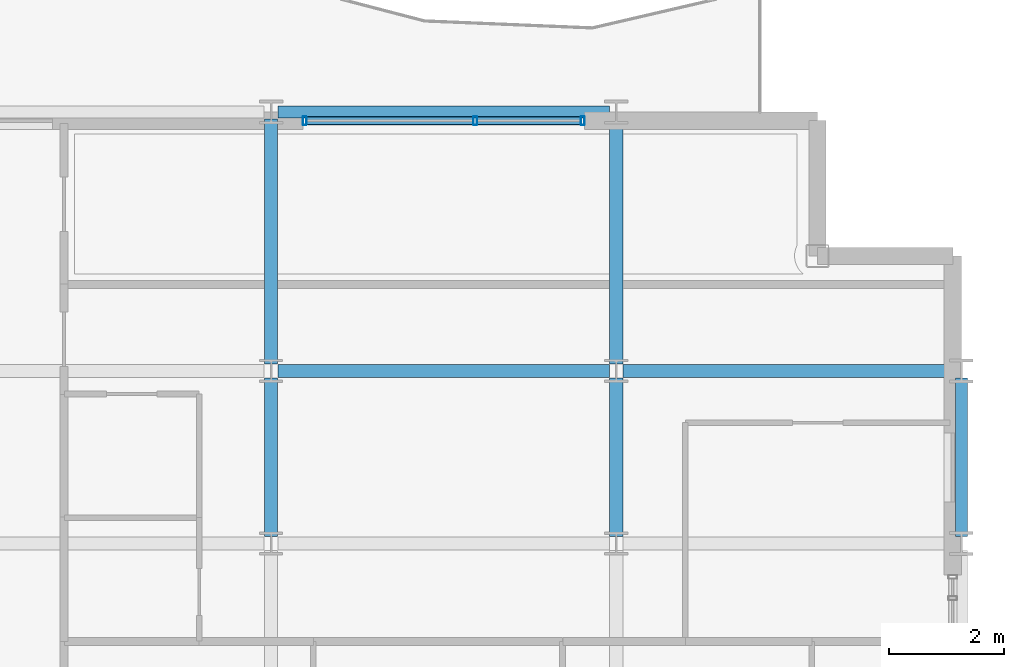
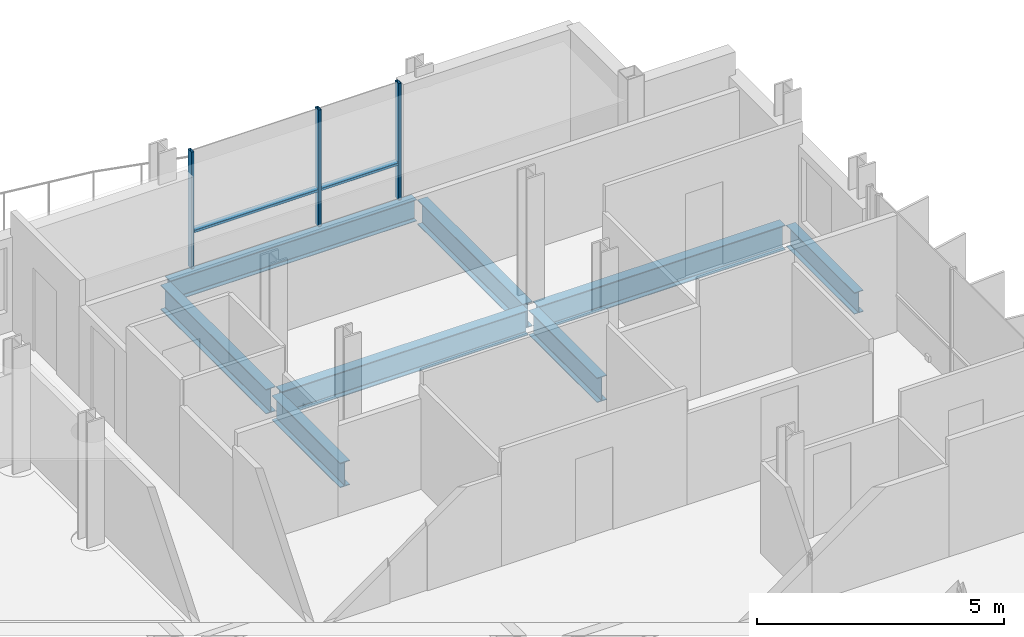
# One storey, part 22 of 38: 8 beams, 5 members, 1 element without a shape of its own.
"""IFC4 building model written with IfcOpenShell, lengths in metres."""

import ifcopenshell
import ifcopenshell.guid

model = None  # the IFC model being written
_history = None  # IfcOwnerHistory: only IFC2X3 demands one
_inside = {}  # id of a spatial element -> (the spatial element, [elements in it])
_under = {}  # id of a project, library or spatial element -> (it, [spatial elements below it])
_declared = {}  # id of a project -> (the project, [libraries it declares])
_typed = {}  # id of a type object -> (the type object, [elements of that type])
_made_of = {}  # id of a material, layer set ... -> (it, [elements and type objects made of it])


def new_model(schema):
    """Start an empty IFC model of exactly this schema.

    Asked for "IFC4X3", IfcOpenShell would pick the latest addendum, in which some entities
    have other attributes; the version numbers below select the first issue.
    IFC2X3 requires an IfcOwnerHistory on every rooted entity: one is made here for all.
    """
    global model, _history
    if schema == "IFC4X3":
        model = ifcopenshell.file(schema_version=(4, 3, 0, 0))
    else:
        model = ifcopenshell.file(schema=schema)
    _inside.clear()
    _under.clear()
    _declared.clear()
    _typed.clear()
    _made_of.clear()
    _history = None
    if model.schema == "IFC2X3":
        org = make("IfcOrganization", Name="unknown")
        user = make(
            "IfcPersonAndOrganization",
            ThePerson=make("IfcPerson", FamilyName="unknown"),
            TheOrganization=org,
        )
        app = make(
            "IfcApplication",
            ApplicationDeveloper=org,
            Version="unknown",
            ApplicationFullName="unknown",
            ApplicationIdentifier="unknown",
        )
        _history = make(
            "IfcOwnerHistory",
            OwningUser=user,
            OwningApplication=app,
            ChangeAction="ADDED",
            CreationDate=0,
        )
    return model


def make(cls, **values):
    """One entity of the class cls with the attributes given. An attribute that is None is left unset."""
    return model.create_entity(
        cls, **{name: value for name, value in values.items() if value is not None}
    )


def rooted(cls, **values):
    """An entity with a GlobalId (a new one), such as an element, a storey or a relation."""
    return make(cls, GlobalId=ifcopenshell.guid.new(), OwnerHistory=_history, **values)


def si_unit(unit_type, name, prefix=None):
    """IfcSIUnit, for example si_unit("LENGTHUNIT", "METRE", prefix="MILLI")."""
    return make("IfcSIUnit", UnitType=unit_type, Prefix=prefix, Name=name)


def assignment(units):
    """IfcUnitAssignment: the units of a project."""
    return None if units is None else make("IfcUnitAssignment", Units=units)


def point(xyz):
    """IfcCartesianPoint."""
    return None if xyz is None else make("IfcCartesianPoint", Coordinates=xyz)


def direction(xyz):
    """IfcDirection."""
    return None if xyz is None else make("IfcDirection", DirectionRatios=xyz)


def frame(location, z_axis=None, x_axis=None):
    """IfcAxis2Placement3D, a coordinate frame: its origin and axes. An axis left out is left unset."""
    return make(
        "IfcAxis2Placement3D",
        Location=point(location),
        Axis=direction(z_axis),
        RefDirection=direction(x_axis),
    )


def frame_2d(location, x_axis=None):
    """IfcAxis2Placement2D, a coordinate frame in the plane: its origin and x axis."""
    return make(
        "IfcAxis2Placement2D", Location=point(location), RefDirection=direction(x_axis)
    )


def origin():
    """The frame at (0, 0, 0) with its axes left unset."""
    return frame((0.0, 0.0, 0.0))


def origin_2d():
    """The frame at (0, 0) in the plane with its x axis left unset."""
    return frame_2d((0.0, 0.0))


def place(relative_to, where):
    """IfcLocalPlacement: puts the frame where relative to a parent placement (None: the world)."""
    return make(
        "IfcLocalPlacement", PlacementRelTo=relative_to, RelativePlacement=where
    )


def context(
    kind, dimensions, precision=None, world=None, true_north=None, identifier=None
):
    """IfcGeometricRepresentationContext, for example the 3D "Model" context."""
    return make(
        "IfcGeometricRepresentationContext",
        ContextIdentifier=identifier,
        ContextType=kind,
        CoordinateSpaceDimension=dimensions,
        Precision=precision,
        WorldCoordinateSystem=world,
        TrueNorth=true_north,
    )


def subcontext(parent, identifier, kind, view, scale=None):
    """IfcGeometricRepresentationSubContext, for example "Body" below "Model"."""
    return make(
        "IfcGeometricRepresentationSubContext",
        ContextIdentifier=identifier,
        ContextType=kind,
        ParentContext=parent,
        TargetScale=scale,
        TargetView=view,
    )


def project(units=None, contexts=None):
    """IfcProject with its units and contexts."""
    return rooted(
        "IfcProject",
        Name="project",
        RepresentationContexts=contexts,
        UnitsInContext=assignment(units),
    )


def spatial(cls, under=None, at=None, **own):
    """A site, building, storey or space (cls), placed at a placement, below another one or the project."""
    s = rooted(cls, ObjectPlacement=at, **own)
    if under is not None:
        _under.setdefault(under.id(), (under, []))[1].append(s)
    return s


def profile(cls, at=None, kind="AREA", **sizes):
    """A parametric profile (cls). Its sizes go by their IFC names, for example OverallWidth=200.0."""
    return make(cls, ProfileType=kind, Position=at, **sizes)


def hollow_rectangle(**sizes):
    """IfcRectangleHollowProfileDef."""
    return profile("IfcRectangleHollowProfileDef", **sizes)


def i_section(**sizes):
    """IfcIShapeProfileDef."""
    return profile("IfcIShapeProfileDef", **sizes)


def extrude(swept, where, along, depth):
    """IfcExtrudedAreaSolid: the profile swept, set in the frame where, extruded along a direction by depth."""
    return make(
        "IfcExtrudedAreaSolid",
        SweptArea=swept,
        Position=where,
        ExtrudedDirection=direction(along),
        Depth=depth,
    )


def shape(context_of_items, identifier, shape_type, items):
    """IfcShapeRepresentation: the items that make up one representation, for example the "Body"."""
    return make(
        "IfcShapeRepresentation",
        ContextOfItems=context_of_items,
        RepresentationIdentifier=identifier,
        RepresentationType=shape_type,
        Items=items,
    )


def material(Name=None, Category=None):
    """IfcMaterial."""
    return make("IfcMaterial", Name=Name, Category=Category)


def layer(
    of_material, thickness, ventilated=None, Name=None, Category=None, Priority=None
):
    """IfcMaterialLayer: one layer of a wall or slab, of a material (None: an air gap)."""
    return make(
        "IfcMaterialLayer",
        Material=of_material,
        LayerThickness=thickness,
        IsVentilated=ventilated,
        Name=Name,
        Category=Category,
        Priority=Priority,
    )


def layer_set(layers, Name=None):
    """IfcMaterialLayerSet."""
    return make("IfcMaterialLayerSet", MaterialLayers=layers, LayerSetName=Name)


def material_profile(
    of_material, cross_section, Name=None, Category=None, Priority=None
):
    """IfcMaterialProfile: a cross section and its material."""
    return make(
        "IfcMaterialProfile",
        Name=Name,
        Material=of_material,
        Profile=cross_section,
        Priority=Priority,
        Category=Category,
    )


def profile_set(profiles, Name=None, composite=None):
    """IfcMaterialProfileSet."""
    return make(
        "IfcMaterialProfileSet",
        Name=Name,
        MaterialProfiles=profiles,
        CompositeProfile=composite,
    )


def made_of(thing, what):
    """Note that an element or type object is made of a material, layer set ...; save() writes the relation."""
    if what is not None:
        _made_of.setdefault(what.id(), (what, []))[1].append(thing)
    return thing


def type_object(cls, material=None, **own):
    """A type object (cls), such as IfcWallType, which elements share."""
    return made_of(rooted(cls, **own), material)


def element(
    cls,
    number,
    at=None,
    inside=None,
    cuts=None,
    type_object=None,
    material=None,
    context=None,
    identifier="Body",
    shape_type=None,
    held_by="IfcProductDefinitionShape",
    body=None,
    shapes=None,
    **own,
):
    """One element of the class cls, such as IfcWall. Its Tag is "e" and its number.

    at: its placement. inside: the storey or other place that contains it. cuts: it is an
    opening in that element (IfcRelVoidsElement). A single representation is given by context,
    identifier, shape_type and body (its items); several are given by shapes. held_by: the class
    of the entity that holds the representations. save() writes the other relations.
    """
    e = rooted(cls, Tag="e%d" % number, ObjectPlacement=at, **own)
    if body is not None:
        shapes = [shape(context, identifier, shape_type, body)]
    if shapes is not None:
        e.Representation = make(held_by, Representations=shapes)
    if inside is not None:
        _inside.setdefault(inside.id(), (inside, []))[1].append(e)
    if cuts is not None:
        rooted(
            "IfcRelVoidsElement", RelatingBuildingElement=cuts, RelatedOpeningElement=e
        )
    if type_object is not None:
        _typed.setdefault(type_object.id(), (type_object, []))[1].append(e)
    return made_of(e, material)


def aggregate(whole, parts):
    """IfcRelAggregates: a whole, such as a stair, and the parts it consists of."""
    return rooted("IfcRelAggregates", RelatingObject=whole, RelatedObjects=parts)


def save(model, path):
    """Write the relations noted so far, then the file.

    IfcRelAggregates (storeys below a building ...), IfcRelContainedInSpatialStructure (elements
    in a storey), IfcRelDefinesByType, IfcRelAssociatesMaterial and IfcRelDeclares: one each for
    every whole, place, type object, material and project.
    """
    for whole, parts in _under.values():
        aggregate(whole, parts)
    for where, things in _inside.values():
        rooted(
            "IfcRelContainedInSpatialStructure",
            RelatedElements=things,
            RelatingStructure=where,
        )
    for kind, things in _typed.values():
        rooted("IfcRelDefinesByType", RelatedObjects=things, RelatingType=kind)
    for what, things in _made_of.values():
        rooted("IfcRelAssociatesMaterial", RelatedObjects=things, RelatingMaterial=what)
    for by, libraries in _declared.values():
        rooted("IfcRelDeclares", RelatingContext=by, RelatedDefinitions=libraries)
    model.write(path)


model = new_model("IFC4")

# Units and contexts
model_context = context("Model", 3, precision=1e-05, world=origin(), true_north=direction((0.0, 1.0)))
body_context = subcontext(model_context, "Body", "Model", "MODEL_VIEW")
ifc_project = project(units=[si_unit("LENGTHUNIT", "METRE"), si_unit("AREAUNIT", "SQUARE_METRE"), si_unit("VOLUMEUNIT", "CUBIC_METRE"), si_unit("PLANEANGLEUNIT", "RADIAN"), si_unit("MASSUNIT", "GRAM", prefix="KILO")], contexts=[model_context])

# Site, building, storey
site_placement = place(None, origin())
site = spatial("IfcSite", under=ifc_project, at=site_placement, CompositionType="ELEMENT")
building_placement = place(site_placement, origin())
building = spatial("IfcBuilding", under=site, at=building_placement, Name="Brevholm Reach", CompositionType="ELEMENT")
storey_placement = place(building_placement, frame((0.0, 0.0, 166.60009765625)))
storey = spatial("IfcBuildingStorey", under=building, at=storey_placement, Name="L50", CompositionType="ELEMENT", Elevation=166.60009765625)

# Beams
ifc_material_1 = material(Name="Structural Steel S355J2", Category="steel")
ifc_material_profile_1 = material_profile(ifc_material_1, i_section(OverallWidth=0.209228515625, OverallDepth=0.533203125, WebThickness=0.010009765625, FlangeThickness=0.015625, FilletRadius=0.0126953125, at=origin_2d()), Name="UKB 533x210x92")
ifc_profile_set_1 = profile_set([ifc_material_profile_1], Name="Structural Steel S355J2")
beam_type_1 = type_object("IfcBeamType", Name="BM-SP533", PredefinedType="SPANDREL", material=ifc_profile_set_1)
beam_1_placement = place(storey_placement, frame((48.1201171875, 31.0, -0.486572265625), z_axis=(1.0, 0.0, 0.0), x_axis=(0.0, 1.0, 0.0)))
element("IfcBeam", 1, at=beam_1_placement, inside=storey, type_object=beam_type_1, Name="L50 SP-02 Framing Beam", PredefinedType="SPANDREL", context=body_context, shape_type="SweptSolid", body=[
    extrude(i_section(OverallWidth=0.209228515625, OverallDepth=0.533203125, WebThickness=0.010009765625, FlangeThickness=0.015625, FilletRadius=0.0126953125, at=origin_2d()), origin(), (0.0, 0.0, 1.0), 5.759765625),
])
beam_2_placement = place(storey_placement, frame((60.0, 23.6201171875, -0.486572265625), z_axis=(0.0, 1.0, 0.0), x_axis=(-1.0, 0.0, 0.0)))
element("IfcBeam", 2, at=beam_2_placement, inside=storey, type_object=beam_type_1, Name="L50 SP-02 Framing Beam", PredefinedType="SPANDREL", context=body_context, shape_type="SweptSolid", body=[
    extrude(i_section(OverallWidth=0.209228515625, OverallDepth=0.533203125, WebThickness=0.010009765625, FlangeThickness=0.015625, FilletRadius=0.0126953125, at=origin_2d()), origin(), (0.0, 0.0, 1.0), 2.759765625),
])
ifc_material_2 = material(Name="Structural Steel S355J2", Category="steel")
ifc_material_profile_2 = material_profile(ifc_material_2, i_section(OverallWidth=0.22900390625, OverallDepth=0.6123046875, WebThickness=0.011962890625, FlangeThickness=0.01953125, FilletRadius=0.0126953125, at=origin_2d()), Name="UKB 610x229x125")
ifc_profile_set_2 = profile_set([ifc_material_profile_2], Name="Structural Steel S355J2")
beam_type_2 = type_object("IfcBeamType", Name="BM-SP610", PredefinedType="SPANDREL", material=ifc_profile_set_2)
for number, where, z_axis, x_axis, name in (
    (3, (48.1201171875, 26.5, -0.526123046875), (1.0, 0.0, 0.0), (0.0, 1.0, 0.0), "L50 SP-01 Framing Beam"),
    (4, (54.1201171875, 26.5, -0.526123046875), (1.0, 0.0, 0.0), (0.0, 1.0, 0.0), "L50 SP-01 Framing Beam"),
):
    element("IfcBeam", number, at=place(storey_placement, frame(where, z_axis=z_axis, x_axis=x_axis)), inside=storey, type_object=beam_type_2, Name=name, PredefinedType="SPANDREL", context=body_context, shape_type="SweptSolid", body=[
        extrude(i_section(OverallWidth=0.22900390625, OverallDepth=0.6123046875, WebThickness=0.011962890625, FlangeThickness=0.01953125, FilletRadius=0.0126953125, at=origin_2d()), origin(), (0.0, 0.0, 1.0), 5.759765625),
    ])
beam_3_placement = place(storey_placement, frame((48.0, 23.6201171875, -0.526123046875), z_axis=(0.0, 1.0, 0.0), x_axis=(-1.0, 0.0, 0.0)))
element("IfcBeam", 5, at=beam_3_placement, inside=storey, type_object=beam_type_2, Name="L50 SP-01 Framing Beam", PredefinedType="SPANDREL", context=body_context, shape_type="SweptSolid", body=[
    extrude(i_section(OverallWidth=0.22900390625, OverallDepth=0.6123046875, WebThickness=0.011962890625, FlangeThickness=0.01953125, FilletRadius=0.0126953125, at=origin_2d()), origin(), (0.0, 0.0, 1.0), 2.759765625),
])
beam_4_placement = place(storey_placement, frame((48.0, 26.6201171875, -0.526123046875), z_axis=(0.0, 1.0, 0.0), x_axis=(-1.0, 0.0, 0.0)))
element("IfcBeam", 6, at=beam_4_placement, inside=storey, type_object=beam_type_2, Name="L50 SP-01 Framing Beam", PredefinedType="SPANDREL", context=body_context, shape_type="SweptSolid", body=[
    extrude(i_section(OverallWidth=0.22900390625, OverallDepth=0.6123046875, WebThickness=0.011962890625, FlangeThickness=0.01953125, FilletRadius=0.0126953125, at=origin_2d()), origin(), (0.0, 0.0, 1.0), 4.259765625),
])
beam_5_placement = place(storey_placement, frame((54.0, 23.6201171875, -0.526123046875), z_axis=(0.0, 1.0, 0.0), x_axis=(-1.0, 0.0, 0.0)))
element("IfcBeam", 7, at=beam_5_placement, inside=storey, type_object=beam_type_2, Name="L50 SP-01 Framing Beam", PredefinedType="SPANDREL", context=body_context, shape_type="SweptSolid", body=[
    extrude(i_section(OverallWidth=0.22900390625, OverallDepth=0.6123046875, WebThickness=0.011962890625, FlangeThickness=0.01953125, FilletRadius=0.0126953125, at=origin_2d()), origin(), (0.0, 0.0, 1.0), 2.759765625),
])
beam_6_placement = place(storey_placement, frame((54.0, 26.6201171875, -0.526123046875), z_axis=(0.0, 1.0, 0.0), x_axis=(-1.0, 0.0, 0.0)))
element("IfcBeam", 8, at=beam_6_placement, inside=storey, type_object=beam_type_2, Name="L50 SP-01 Framing Beam", PredefinedType="SPANDREL", context=body_context, shape_type="SweptSolid", body=[
    extrude(i_section(OverallWidth=0.22900390625, OverallDepth=0.6123046875, WebThickness=0.011962890625, FlangeThickness=0.01953125, FilletRadius=0.0126953125, at=origin_2d()), origin(), (0.0, 0.0, 1.0), 4.259765625),
])

# Curtain wall, members
ifc_material_3 = material(Name="Dark Anodised Aluminium 6063-T6 and Solar-Control Glass", Category="aluminium")
ifc_layer = layer(ifc_material_3, 0.14990234375)
ifc_layer_set = layer_set([ifc_layer], Name="Dark Anodised Aluminium 6063-T6 and Solar-Control Glass")
curtain_wall_type = type_object("IfcCurtainWallType", Name="CW-01", PredefinedType="NOTDEFINED", material=ifc_layer_set)
curtain_wall_placement = place(storey_placement, origin())
curtain_wall = element("IfcCurtainWall", 9, at=curtain_wall_placement, inside=storey, type_object=curtain_wall_type, Name="L50 Curtain Wall CW-01", PredefinedType="NOTDEFINED")
ifc_material_4 = material(Name="Dark Anodised Aluminium 6063-T6", Category="aluminium")
ifc_material_profile_3 = material_profile(ifc_material_4, hollow_rectangle(XDim=0.06494140625, YDim=0.14990234375, WallThickness=0.0048828125, InnerFilletRadius=0.0048828125, OuterFilletRadius=0.010009765625, at=origin_2d()), Name="RHS 150x65x5")
ifc_profile_set_3 = profile_set([ifc_material_profile_3], Name="Dark Anodised Aluminium 6063-T6")
member_type_1 = type_object("IfcMemberType", Name="CWM-150", PredefinedType="MULLION", material=ifc_profile_set_3)
member_1_placement = place(storey_placement, frame((48.58251953125, 30.85009765625, 0.0), z_axis=(0.0, 0.0, 1.0), x_axis=(1.0, 0.0, 0.0)))
member_1 = element("IfcMember", 10, at=member_1_placement, type_object=member_type_1, Name="CM-150 Mullion 1", PredefinedType="MULLION", context=body_context, shape_type="SweptSolid", body=[
    extrude(hollow_rectangle(XDim=0.06494140625, YDim=0.14990234375, WallThickness=0.0048828125, InnerFilletRadius=0.0048828125, OuterFilletRadius=0.010009765625, at=origin_2d()), origin(), (0.0, 0.0, 1.0), 2.8798828125),
])
member_2_placement = place(storey_placement, frame((51.550048828125, 30.85009765625, 0.0), z_axis=(0.0, 0.0, 1.0), x_axis=(1.0, 0.0, 0.0)))
member_2 = element("IfcMember", 11, at=member_2_placement, type_object=member_type_1, Name="CM-150 Mullion 2", PredefinedType="MULLION", context=body_context, shape_type="SweptSolid", body=[
    extrude(hollow_rectangle(XDim=0.06494140625, YDim=0.14990234375, WallThickness=0.0048828125, InnerFilletRadius=0.0048828125, OuterFilletRadius=0.010009765625, at=origin_2d()), origin(), (0.0, 0.0, 1.0), 2.8798828125),
])
member_3_placement = place(storey_placement, frame((53.41748046875, 30.85009765625, 0.0), z_axis=(0.0, 0.0, 1.0), x_axis=(1.0, 0.0, 0.0)))
member_3 = element("IfcMember", 12, at=member_3_placement, type_object=member_type_1, Name="CM-150 Mullion 3", PredefinedType="MULLION", context=body_context, shape_type="SweptSolid", body=[
    extrude(hollow_rectangle(XDim=0.06494140625, YDim=0.14990234375, WallThickness=0.0048828125, InnerFilletRadius=0.0048828125, OuterFilletRadius=0.010009765625, at=origin_2d()), origin(), (0.0, 0.0, 1.0), 2.8798828125),
])
ifc_material_5 = material(Name="Dark Anodised Aluminium 6063-T6", Category="aluminium")
ifc_material_profile_4 = material_profile(ifc_material_5, hollow_rectangle(XDim=0.06494140625, YDim=0.14990234375, WallThickness=0.0048828125, InnerFilletRadius=0.0048828125, OuterFilletRadius=0.010009765625, at=origin_2d()), Name="RHS 150x65x5")
ifc_profile_set_4 = profile_set([ifc_material_profile_4], Name="Dark Anodised Aluminium 6063-T6")
member_type_2 = type_object("IfcMemberType", Name="CWT-150", PredefinedType="NOTDEFINED", material=ifc_profile_set_4)
member_4_placement = place(storey_placement, frame((48.614990234375, 30.85009765625, 0.89990234375), z_axis=(1.0, 0.0, 0.0), x_axis=(0.0, 0.0, 1.0)))
member_4 = element("IfcMember", 13, at=member_4_placement, type_object=member_type_2, Name="CT-150 Transom 1.1", ObjectType="TRANSOM", PredefinedType="USERDEFINED", context=body_context, shape_type="SweptSolid", body=[
    extrude(hollow_rectangle(XDim=0.06494140625, YDim=0.14990234375, WallThickness=0.0048828125, InnerFilletRadius=0.0048828125, OuterFilletRadius=0.010009765625, at=origin_2d()), origin(), (0.0, 0.0, 1.0), 2.902587890625),
])
member_5_placement = place(storey_placement, frame((51.58251953125, 30.85009765625, 0.89990234375), z_axis=(1.0, 0.0, 0.0), x_axis=(0.0, 0.0, 1.0)))
member_5 = element("IfcMember", 14, at=member_5_placement, type_object=member_type_2, Name="CT-150 Transom 2.1", ObjectType="TRANSOM", PredefinedType="USERDEFINED", context=body_context, shape_type="SweptSolid", body=[
    extrude(hollow_rectangle(XDim=0.06494140625, YDim=0.14990234375, WallThickness=0.0048828125, InnerFilletRadius=0.0048828125, OuterFilletRadius=0.010009765625, at=origin_2d()), origin(), (0.0, 0.0, 1.0), 1.802490234375),
])
aggregate(curtain_wall, [member_1, member_2, member_3, member_4, member_5])

save(model, "model.ifc")
